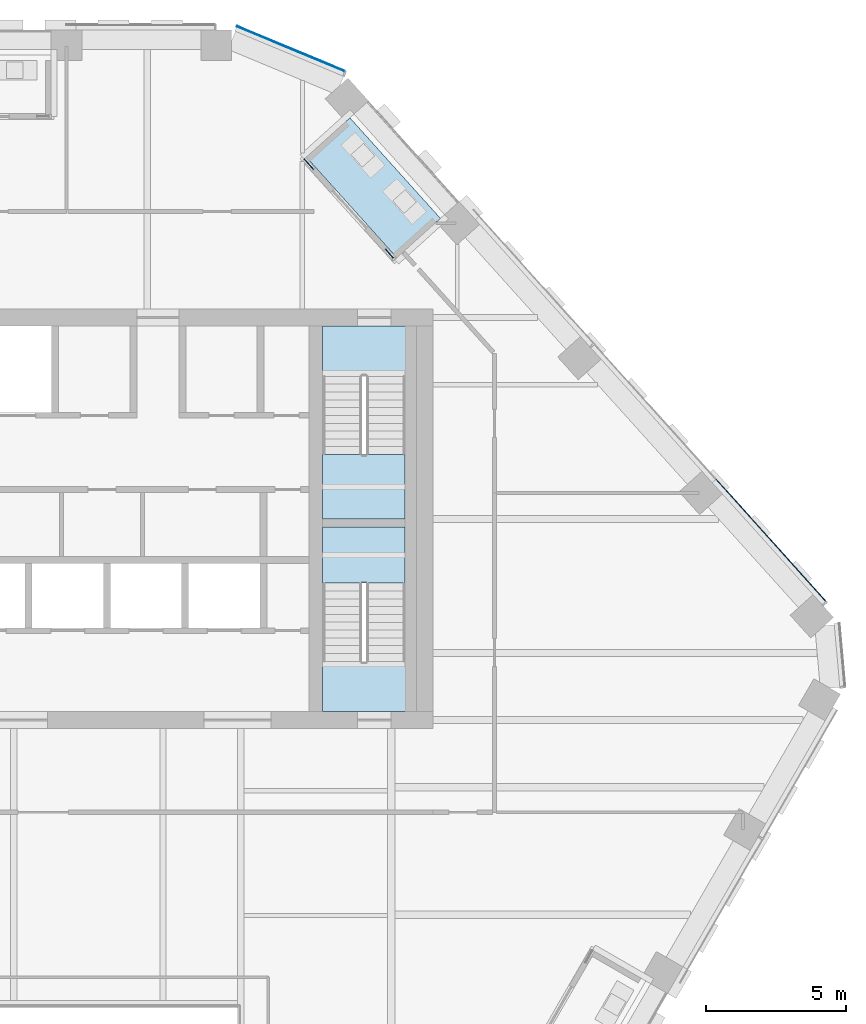
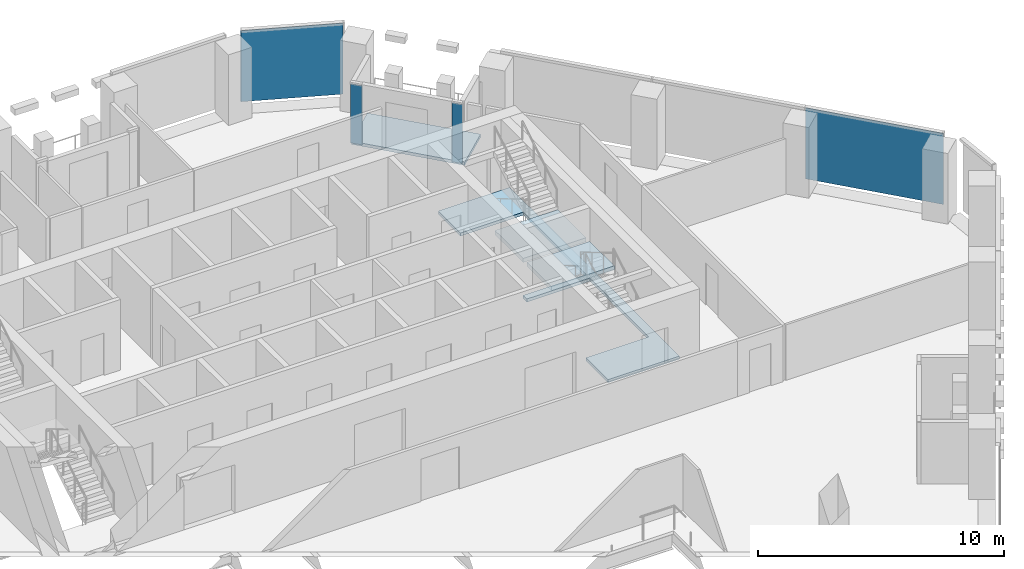
# One storey, part 14 of 24: 4 plates, 4 slabs, 5 elements without a shape of their own.
"""IFC4 building model written with IfcOpenShell, lengths in metres."""

from ifc_helpers import new_model, si_unit, direction, frame, origin, origin_2d, place, context, subcontext, project, spatial, polyline, rectangle, outline, extrude, material, layer, layer_set, type_object, element, aggregate, save


model = new_model("IFC4")

# Units and contexts
model_context = context("Model", 3, precision=1e-05, world=origin(), true_north=direction((0.0, 1.0)))
body_context = subcontext(model_context, "Body", "Model", "MODEL_VIEW")
ifc_project = project(units=[si_unit("LENGTHUNIT", "METRE"), si_unit("AREAUNIT", "SQUARE_METRE"), si_unit("VOLUMEUNIT", "CUBIC_METRE"), si_unit("PLANEANGLEUNIT", "RADIAN"), si_unit("MASSUNIT", "GRAM", prefix="KILO")], contexts=[model_context])

# Site, building, storey
site_placement = place(None, origin())
site = spatial("IfcSite", under=ifc_project, at=site_placement, CompositionType="ELEMENT")
building_placement = place(site_placement, origin())
building = spatial("IfcBuilding", under=site, at=building_placement, Name="Isthmus Gate Tower", CompositionType="ELEMENT")
storey_placement = place(building_placement, frame((0.0, 0.0, 234.550048828125)))
storey = spatial("IfcBuildingStorey", under=building, at=storey_placement, Name="L59", CompositionType="ELEMENT", Elevation=234.550048828125)

# Slab
ifc_material_1 = material(Name="Concrete f'c 40 MPa", Category="concrete")
ifc_layer_1 = layer(ifc_material_1, 0.14990234375)
ifc_layer_set_1 = layer_set([ifc_layer_1], Name="CORE FLOOR SLAB 150")
slab_type_1 = type_object("IfcSlabType", Name="CORE FLOOR SLAB 150", PredefinedType="FLOOR", material=ifc_layer_set_1)
slab_1_placement = place(storey_placement, frame((0.0, 0.0, -0.150146484375)))
element("IfcSlab", 1, at=slab_1_placement, inside=storey, type_object=slab_type_1, Name="L59 core floor", PredefinedType="FLOOR", context=body_context, shape_type="SweptSolid", body=[
    extrude(outline(polyline([(11.050048828125, 14.39990234375), (11.050048828125, 12.597900390625), (14.0, 12.597900390625), (14.0, 7.5), (11.050048828125, 7.5), (11.050048828125, 7.199951171875), (14.0, 7.199951171875), (14.0, 2.402099609375), (11.050048828125, 2.402099609375), (11.050048828125, 0.60009765625), (14.39990234375, 0.60009765625), (14.39990234375, 14.39990234375), (11.050048828125, 14.39990234375)])), origin(), (0.0, 0.0, 1.0), 0.150146484375),
])

# Curtain wall, plate
ifc_material_2 = material(Name="Aluminium, pale champagne anodised", Category="aluminium")
ifc_layer_2 = layer(ifc_material_2, 0.199951171875)
ifc_layer_set_2 = layer_set([ifc_layer_2], Name="CW-1 UNITISED CURTAIN WALL 200 DEEP")
curtain_wall_type_1 = type_object("IfcCurtainWallType", Name="CW-1 UNITISED CURTAIN WALL 200 DEEP", PredefinedType="NOTDEFINED", material=ifc_layer_set_2)
curtain_wall_1_placement = place(storey_placement, origin())
curtain_wall_1 = element("IfcCurtainWall", 2, at=curtain_wall_1_placement, inside=storey, type_object=curtain_wall_type_1, Name="CW-1 NE L59", PredefinedType="NOTDEFINED")
ifc_material_3 = material(Name="Laminated low-iron glass, pale blue tint", Category="glass")
ifc_layer_3 = layer(ifc_material_3, 0.031982421875)
ifc_layer_set_3 = layer_set([ifc_layer_3], Name="CW-1 CLEAR GLASS LITE 32")
plate_type_1 = type_object("IfcPlateType", Name="CW-1 CLEAR GLASS LITE 32", PredefinedType="CURTAIN_PANEL", material=ifc_layer_set_3)
plate_1_placement = place(storey_placement, frame((27.0908203125, 6.733154296875, 0.0), z_axis=(0.0, 0.0, 1.0), x_axis=(-0.669130606359, 0.743144825477, 0.0)))
plate_1 = element("IfcPlate", 3, at=plate_1_placement, type_object=plate_type_1, Name="CW-1 glass lite", PredefinedType="CURTAIN_PANEL", context=body_context, shape_type="SweptSolid", body=[
    extrude(rectangle(XDim=5.8818359375, YDim=0.031982421875, at=origin_2d()), origin(), (0.0, 0.0, 1.0), 3.52001953125),
])
aggregate(curtain_wall_1, [plate_1])

curtain_wall_2_placement = place(storey_placement, origin())
curtain_wall_2 = element("IfcCurtainWall", 4, at=curtain_wall_2_placement, inside=storey, type_object=curtain_wall_type_1, Name="CW-1 NE-N L59", PredefinedType="NOTDEFINED")
plate_2_placement = place(storey_placement, frame((9.907470703125, 24.3193359375, 0.0), z_axis=(0.0, 0.0, 1.0), x_axis=(-0.923353128387, 0.383951820282, 0.0)))
plate_2 = element("IfcPlate", 5, at=plate_2_placement, type_object=plate_type_1, Name="CW-1 glass lite", PredefinedType="CURTAIN_PANEL", context=body_context, shape_type="SweptSolid", body=[
    extrude(rectangle(XDim=4.181396484375, YDim=0.031982421875, at=origin_2d()), origin(), (0.0, 0.0, 1.0), 3.52001953125),
])
aggregate(curtain_wall_2, [plate_2])

# Curtain wall, plates
ifc_material_4 = material(Name="Aluminium, pale champagne anodised", Category="aluminium")
ifc_layer_4 = layer(ifc_material_4, 0.14990234375)
ifc_layer_set_4 = layer_set([ifc_layer_4], Name="CW-6 LOGGIA BACK WALL GLAZING 150 DEEP")
curtain_wall_type_2 = type_object("IfcCurtainWallType", Name="CW-6 LOGGIA BACK WALL GLAZING 150 DEEP", PredefinedType="NOTDEFINED", material=ifc_layer_set_4)
curtain_wall_3_placement = place(storey_placement, origin())
curtain_wall_3 = element("IfcCurtainWall", 6, at=curtain_wall_3_placement, inside=storey, type_object=curtain_wall_type_2, Name="CW-6 NE L59", PredefinedType="NOTDEFINED")
ifc_material_5 = material(Name="Laminated low-iron glass, clear", Category="glass")
ifc_layer_5 = layer(ifc_material_5, 0.031982421875)
ifc_layer_set_5 = layer_set([ifc_layer_5], Name="CW-6 CLEAR GLASS LITE 32")
plate_type_2 = type_object("IfcPlateType", Name="CW-6 CLEAR GLASS LITE 32", PredefinedType="CURTAIN_PANEL", material=ifc_layer_set_5)
plate_3_placement = place(storey_placement, frame((13.439208984375, 16.98681640625, 0.0), z_axis=(0.0, 0.0, 1.0), x_axis=(-0.669130606359, 0.743144825477, 0.0)))
plate_3 = element("IfcPlate", 7, at=plate_3_placement, type_object=plate_type_2, Name="CW-6 glass lite", PredefinedType="CURTAIN_PANEL", context=body_context, shape_type="SweptSolid", body=[
    extrude(rectangle(XDim=0.43994140625, YDim=0.031982421875, at=origin_2d()), origin(), (0.0, 0.0, 1.0), 2.929931640625),
])
plate_4_placement = place(storey_placement, frame((10.553955078125, 20.191162109375, 0.0), z_axis=(0.0, 0.0, 1.0), x_axis=(-0.669130606359, 0.743144825477, 0.0)))
plate_4 = element("IfcPlate", 8, at=plate_4_placement, type_object=plate_type_2, Name="CW-6 glass lite", PredefinedType="CURTAIN_PANEL", context=body_context, shape_type="SweptSolid", body=[
    extrude(rectangle(XDim=0.5, YDim=0.031982421875, at=origin_2d()), origin(), (0.0, 0.0, 1.0), 2.929931640625),
])
aggregate(curtain_wall_3, [plate_3, plate_4])

# Slab
ifc_material_6 = material(Name="Concrete f'c 50 MPa", Category="concrete")
ifc_layer_6 = layer(ifc_material_6, 0.14990234375)
ifc_layer_set_6 = layer_set([ifc_layer_6], Name="LOGGIA FLOOR SLAB 150")
slab_type_2 = type_object("IfcSlabType", Name="LOGGIA FLOOR SLAB 150", PredefinedType="FLOOR", material=ifc_layer_set_6)
slab_2_placement = place(storey_placement, frame((0.0, 0.0, -0.150146484375)))
element("IfcSlab", 9, at=slab_2_placement, inside=storey, type_object=slab_type_2, Name="LOGGIA FLOOR", PredefinedType="FLOOR", context=body_context, shape_type="SweptSolid", body=[
    extrude(outline(polyline([(15.261474609375, 18.2509765625), (12.021484375, 21.84912109375), (10.4609375, 20.444091796875), (13.700927734375, 16.845703125), (15.261474609375, 18.2509765625)])), origin(), (0.0, 0.0, 1.0), 0.150146484375),
])

# Stair, slab
ifc_material_7 = material(Name="Concrete f'c 40 MPa", Category="concrete")
stair_type = type_object("IfcStairType", Name="CORE STAIR 22 RISERS", PredefinedType="HALF_TURN_STAIR", material=ifc_material_7)
stair_1_placement = place(storey_placement, origin())
stair_1 = element("IfcStair", 10, at=stair_1_placement, inside=storey, type_object=stair_type, Name="L59 Exit Stair 2", PredefinedType="HALF_TURN_STAIR")
ifc_material_8 = material(Name="Concrete f'c 40 MPa", Category="concrete")
ifc_layer_7 = layer(ifc_material_8, 0.199951171875)
ifc_layer_set_7 = layer_set([ifc_layer_7])
slab_type_3 = type_object("IfcSlabType", Name="STAIR LANDING RC 200", PredefinedType="LANDING", material=ifc_layer_set_7)
slab_3_placement = place(storey_placement, frame((0.0, 0.0, 1.625)))
slab_3 = element("IfcSlab", 11, at=slab_3_placement, type_object=slab_type_3, Name="ST2 landing 1", PredefinedType="LANDING", context=body_context, shape_type="SweptSolid", body=[
    extrude(outline(polyline([(11.050048828125, 9.800048828125), (11.050048828125, 7.5), (14.0, 7.5), (14.0, 9.800048828125), (11.050048828125, 9.800048828125)])), origin(), (0.0, 0.0, 1.0), 0.199951171875),
])
aggregate(stair_1, [slab_3])

stair_2_placement = place(storey_placement, origin())
stair_2 = element("IfcStair", 12, at=stair_2_placement, inside=storey, type_object=stair_type, Name="L59 Exit Stair 8", PredefinedType="HALF_TURN_STAIR")
slab_4_placement = place(storey_placement, frame((0.0, 0.0, 1.625)))
slab_4 = element("IfcSlab", 13, at=slab_4_placement, type_object=slab_type_3, Name="ST8 landing 1", PredefinedType="LANDING", context=body_context, shape_type="SweptSolid", body=[
    extrude(outline(polyline([(14.0, 5.199951171875), (14.0, 7.199951171875), (11.050048828125, 7.199951171875), (11.050048828125, 5.199951171875), (14.0, 5.199951171875)])), origin(), (0.0, 0.0, 1.0), 0.199951171875),
])
aggregate(stair_2, [slab_4])

save(model, "model.ifc")
